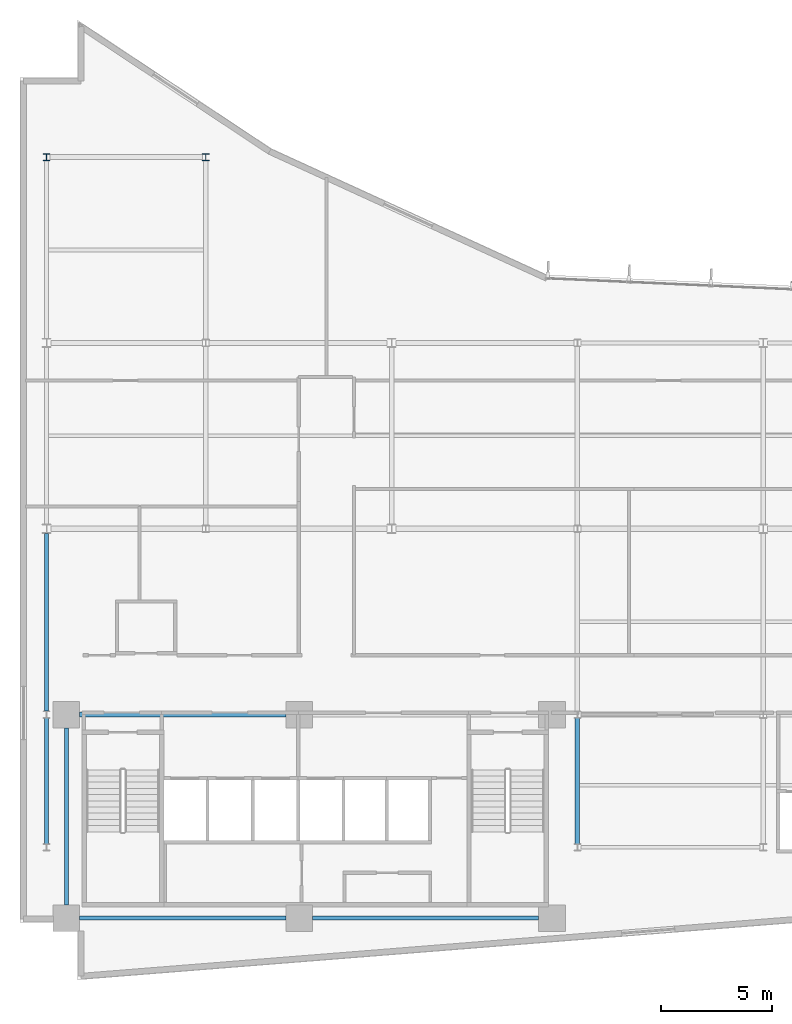
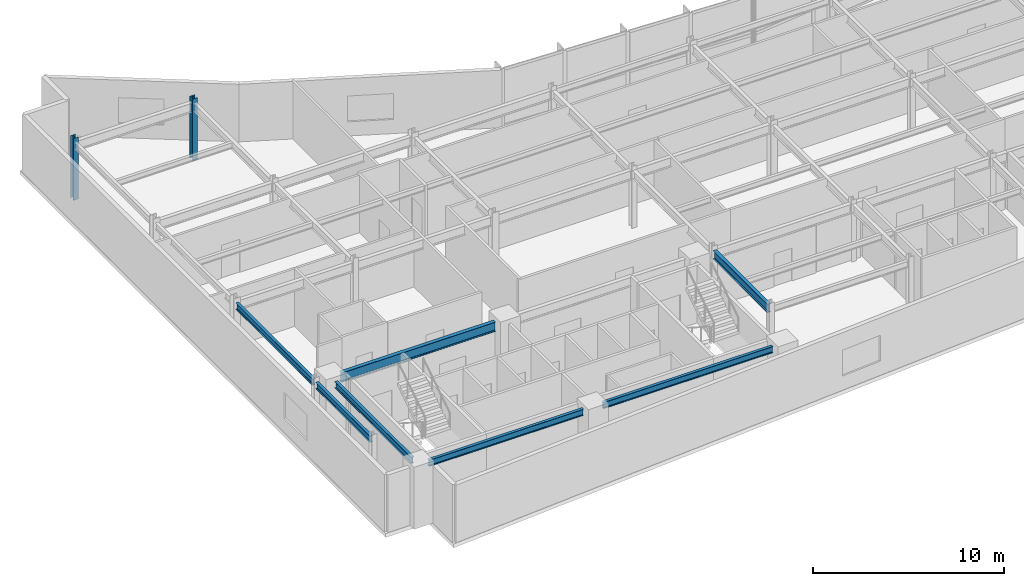
# One storey, part 3 of 16: 7 beams, 2 columns.
"""IFC4 building model written with IfcOpenShell, lengths in metres."""

from ifc_helpers import new_model, si_unit, direction, frame, origin, origin_2d, place, context, subcontext, project, spatial, i_section, extrude, material, material_profile, profile_set, type_object, element, save


model = new_model("IFC4")

# Units and contexts
model_context = context("Model", 3, precision=1e-05, world=origin(), true_north=direction((0.0, 1.0)))
body_context = subcontext(model_context, "Body", "Model", "MODEL_VIEW")
ifc_project = project(units=[si_unit("LENGTHUNIT", "METRE"), si_unit("AREAUNIT", "SQUARE_METRE"), si_unit("VOLUMEUNIT", "CUBIC_METRE"), si_unit("PLANEANGLEUNIT", "RADIAN"), si_unit("MASSUNIT", "GRAM", prefix="KILO")], contexts=[model_context])

# Site, building, storey
site_placement = place(None, origin())
site = spatial("IfcSite", under=ifc_project, at=site_placement, CompositionType="ELEMENT")
building_placement = place(site_placement, origin())
building = spatial("IfcBuilding", under=site, at=building_placement, Name="Varnakote Quay Hospital", CompositionType="ELEMENT")
storey_placement = place(building_placement, frame((0.0, 0.0, 170.5)))
storey = spatial("IfcBuildingStorey", under=building, at=storey_placement, Name="L42", CompositionType="ELEMENT", Elevation=170.5)

# Columns
ifc_material_1 = material(Name="Structural steel AS/NZS 3679.1 Grade 350 L0 (fy 340 MPa)", Category="steel")
ifc_material_profile_1 = material_profile(ifc_material_1, i_section(OverallWidth=0.306884765625, OverallDepth=0.31494140625, WebThickness=0.011962890625, FlangeThickness=0.018798828125, FilletRadius=0.0166015625, at=origin_2d()), Name="310UC118")
ifc_profile_set_1 = profile_set([ifc_material_profile_1], Name="Structural steel AS/NZS 3679.1 Grade 350 L0 (fy 340 MPa)")
column_type = type_object("IfcColumnType", Name="COL-STL-310UC118", PredefinedType="COLUMN", material=ifc_profile_set_1)
for number, where, z_axis, x_axis, name in (
    (1, (1.199951171875, 37.199951171875, 0.0), (0.0, 0.0, 1.0), (1.0, 0.0, 0.0), "L42 Structural Column C-1-37"),
    (2, (8.39990234375, 37.199951171875, 0.0), (0.0, 0.0, 1.0), (1.0, 0.0, 0.0), "L42 Structural Column C-8-37"),
):
    element("IfcColumn", number, at=place(storey_placement, frame(where, z_axis=z_axis, x_axis=x_axis)), inside=storey, type_object=column_type, Name=name, PredefinedType="COLUMN", context=body_context, shape_type="SweptSolid", body=[
        extrude(i_section(OverallWidth=0.306884765625, OverallDepth=0.31494140625, WebThickness=0.011962890625, FlangeThickness=0.018798828125, FilletRadius=0.0166015625, at=origin_2d()), origin(), (0.0, 0.0, 1.0), 3.949951171875),
    ])

# Beams
ifc_material_2 = material(Name="Structural steel AS/NZS 3679.1 Grade 350 L0 (fy 340 MPa)", Category="steel")
ifc_material_profile_2 = material_profile(ifc_material_2, i_section(OverallWidth=0.208984375, OverallDepth=0.532958984375, WebThickness=0.01025390625, FlangeThickness=0.015625, FilletRadius=0.013916015625, at=origin_2d()), Name="530UB92.4")
ifc_profile_set_2 = profile_set([ifc_material_profile_2], Name="Structural steel AS/NZS 3679.1 Grade 350 L0 (fy 340 MPa)")
beam_type_1 = type_object("IfcBeamType", Name="BM-STL-530UB92-4", PredefinedType="BEAM", material=ifc_profile_set_2)
beam_1_placement = place(storey_placement, frame((25.199951171875, 6.157470703125, 3.403564453125), z_axis=(0.0, 1.0, 0.0), x_axis=(-1.0, 0.0, 0.0)))
element("IfcBeam", 3, at=beam_1_placement, inside=storey, type_object=beam_type_1, Name="L42 Primary Tie Beam", PredefinedType="BEAM", context=body_context, shape_type="SweptSolid", body=[
    extrude(i_section(OverallWidth=0.208984375, OverallDepth=0.532958984375, WebThickness=0.01025390625, FlangeThickness=0.015625, FilletRadius=0.013916015625, at=origin_2d()), origin(), (0.0, 0.0, 1.0), 5.68505859375),
])
ifc_material_3 = material(Name="Structural steel AS/NZS 3679.1 Grade 350 L0 (fy 340 MPa)", Category="steel")
ifc_material_profile_3 = material_profile(ifc_material_3, i_section(OverallWidth=0.22802734375, OverallDepth=0.60205078125, WebThickness=0.010498046875, FlangeThickness=0.014892578125, FilletRadius=0.013916015625, at=origin_2d()), Name="610UB101")
ifc_profile_set_3 = profile_set([ifc_material_profile_3], Name="Structural steel AS/NZS 3679.1 Grade 350 L0 (fy 340 MPa)")
beam_type_2 = type_object("IfcBeamType", Name="BM-STL-610UB101", PredefinedType="BEAM", material=ifc_profile_set_3)
beam_2_placement = place(storey_placement, frame((2.699951171875, 12.0, 3.368896484375), z_axis=(1.0, 0.0, 0.0), x_axis=(0.0, 1.0, 0.0)))
element("IfcBeam", 4, at=beam_2_placement, inside=storey, type_object=beam_type_2, Name="L42 Primary Floor Beam", PredefinedType="BEAM", context=body_context, shape_type="SweptSolid", body=[
    extrude(i_section(OverallWidth=0.22802734375, OverallDepth=0.60205078125, WebThickness=0.010498046875, FlangeThickness=0.014892578125, FilletRadius=0.013916015625, at=origin_2d()), origin(), (0.0, 0.0, 1.0), 9.320068359375),
])
ifc_material_4 = material(Name="Structural steel AS/NZS 3679.1 Grade 350 L0 (fy 340 MPa)", Category="steel")
ifc_material_profile_4 = material_profile(ifc_material_4, i_section(OverallWidth=0.177978515625, OverallDepth=0.403076171875, WebThickness=0.007568359375, FlangeThickness=0.010986328125, FilletRadius=0.011474609375, at=origin_2d()), Name="410UB53.7")
ifc_profile_set_4 = profile_set([ifc_material_profile_4], Name="Structural steel AS/NZS 3679.1 Grade 350 L0 (fy 340 MPa)")
beam_type_3 = type_object("IfcBeamType", Name="SPN-STL-410UB53-7", PredefinedType="SPANDREL", material=ifc_profile_set_4)
beam_3_placement = place(storey_placement, frame((1.199951171875, 6.157470703125, 3.468505859375), z_axis=(0.0, 1.0, 0.0), x_axis=(-1.0, 0.0, 0.0)))
element("IfcBeam", 5, at=beam_3_placement, inside=storey, type_object=beam_type_3, Name="L42 Perimeter Spandrel Beam", PredefinedType="SPANDREL", context=body_context, shape_type="SweptSolid", body=[
    extrude(i_section(OverallWidth=0.177978515625, OverallDepth=0.403076171875, WebThickness=0.007568359375, FlangeThickness=0.010986328125, FilletRadius=0.011474609375, at=origin_2d()), origin(), (0.0, 0.0, 1.0), 5.68505859375),
])
beam_4_placement = place(storey_placement, frame((1.199951171875, 12.157470703125, 3.468505859375), z_axis=(0.0, 1.0, 0.0), x_axis=(-1.0, 0.0, 0.0)))
element("IfcBeam", 6, at=beam_4_placement, inside=storey, type_object=beam_type_3, Name="L42 Perimeter Spandrel Beam", PredefinedType="SPANDREL", context=body_context, shape_type="SweptSolid", body=[
    extrude(i_section(OverallWidth=0.177978515625, OverallDepth=0.403076171875, WebThickness=0.007568359375, FlangeThickness=0.010986328125, FilletRadius=0.011474609375, at=origin_2d()), origin(), (0.0, 0.0, 1.0), 8.032470703125),
])
beam_5_placement = place(storey_placement, frame((2.10009765625, 3.39990234375, 3.468505859375), z_axis=(0.0, 1.0, 0.0), x_axis=(-1.0, 0.0, 0.0)))
element("IfcBeam", 7, at=beam_5_placement, inside=storey, type_object=beam_type_3, Name="L42 Perimeter Spandrel Beam", PredefinedType="SPANDREL", context=body_context, shape_type="SweptSolid", body=[
    extrude(i_section(OverallWidth=0.177978515625, OverallDepth=0.403076171875, WebThickness=0.007568359375, FlangeThickness=0.010986328125, FilletRadius=0.011474609375, at=origin_2d()), origin(), (0.0, 0.0, 1.0), 8.0),
])
ifc_material_5 = material(Name="Structural steel AS/NZS 3679.1 Grade 350 L0 (fy 340 MPa)", Category="steel")
ifc_material_profile_5 = material_profile(ifc_material_5, i_section(OverallWidth=0.177978515625, OverallDepth=0.406005859375, WebThickness=0.0078125, FlangeThickness=0.0126953125, FilletRadius=0.011474609375, at=origin_2d()), Name="410UB59.7")
ifc_profile_set_5 = profile_set([ifc_material_profile_5], Name="Structural steel AS/NZS 3679.1 Grade 350 L0 (fy 340 MPa)")
beam_type_4 = type_object("IfcBeamType", Name="SPN-STL-410UB59-7", PredefinedType="SPANDREL", material=ifc_profile_set_5)
beam_6_placement = place(storey_placement, frame((2.699951171875, 2.800048828125, 3.467041015625), z_axis=(1.0, 0.0, 0.0), x_axis=(0.0, 1.0, 0.0)))
element("IfcBeam", 8, at=beam_6_placement, inside=storey, type_object=beam_type_4, Name="L42 Perimeter Spandrel Beam", PredefinedType="SPANDREL", context=body_context, shape_type="SweptSolid", body=[
    extrude(i_section(OverallWidth=0.177978515625, OverallDepth=0.406005859375, WebThickness=0.0078125, FlangeThickness=0.0126953125, FilletRadius=0.011474609375, at=origin_2d()), origin(), (0.0, 0.0, 1.0), 9.320068359375),
])
beam_7_placement = place(storey_placement, frame((13.219970703125, 2.800048828125, 3.467041015625), z_axis=(1.0, 0.0, 0.0), x_axis=(0.0, 1.0, 0.0)))
element("IfcBeam", 9, at=beam_7_placement, inside=storey, type_object=beam_type_4, Name="L42 Perimeter Spandrel Beam", PredefinedType="SPANDREL", context=body_context, shape_type="SweptSolid", body=[
    extrude(i_section(OverallWidth=0.177978515625, OverallDepth=0.406005859375, WebThickness=0.0078125, FlangeThickness=0.0126953125, FilletRadius=0.011474609375, at=origin_2d()), origin(), (0.0, 0.0, 1.0), 10.22998046875),
])

save(model, "model.ifc")
